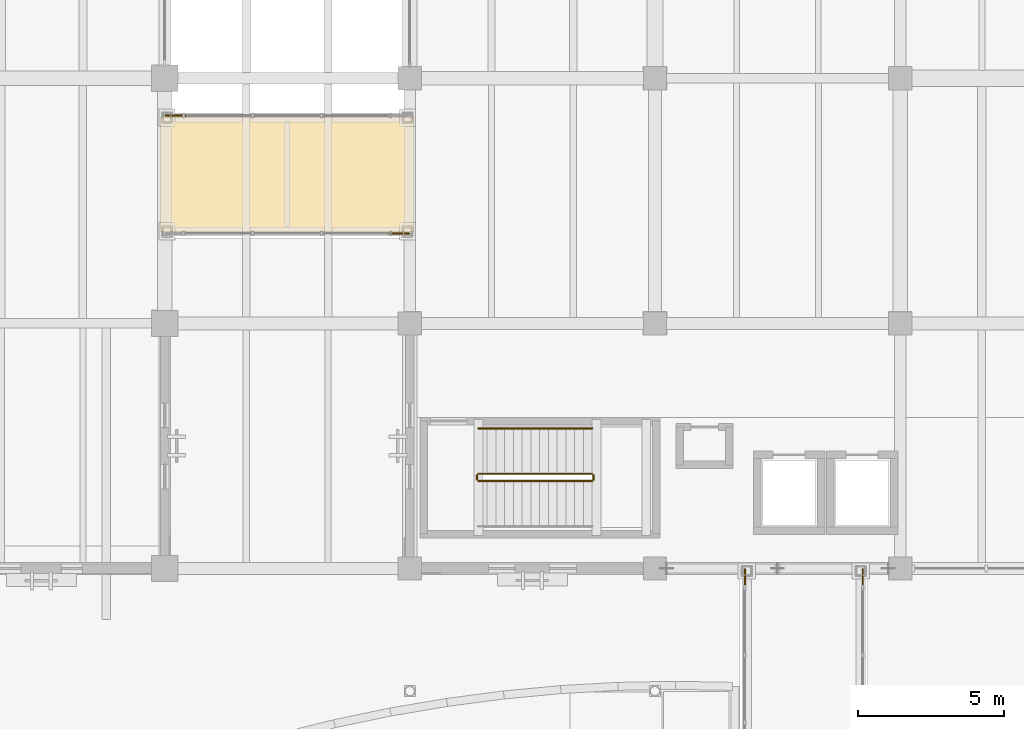
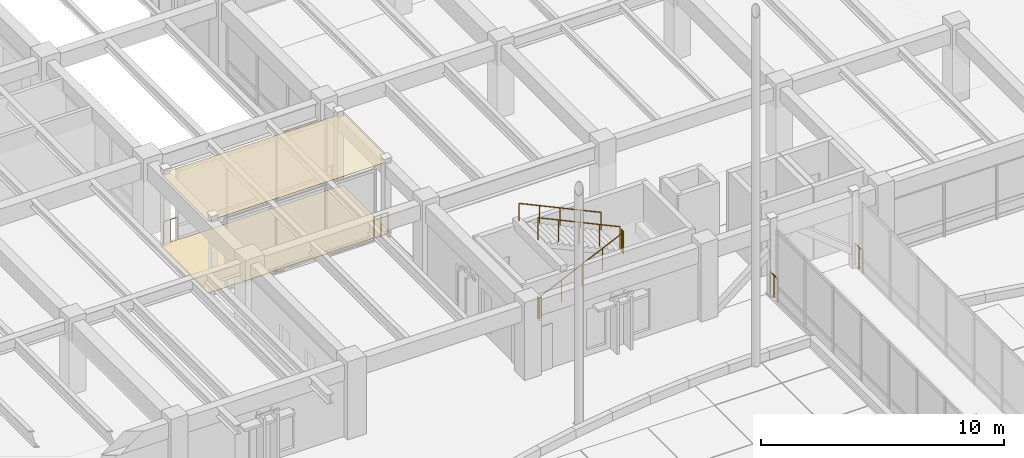
# One storey, part 122 of 135: 9 railings, 2 coverings.
"""IFC4 building model written with IfcOpenShell, lengths in metres."""

from ifc_helpers import new_model, si_unit, direction, frame, origin, origin_2d, place, context, subcontext, project, spatial, polyline, circle, outline, extrude, material, layer, layer_set, type_object, element, save


model = new_model("IFC4")

# Units and contexts
model_context = context("Model", 3, precision=1e-05, world=origin(), true_north=direction((0.0, 1.0)))
body_context = subcontext(model_context, "Body", "Model", "MODEL_VIEW")
ifc_project = project(units=[si_unit("LENGTHUNIT", "METRE"), si_unit("AREAUNIT", "SQUARE_METRE"), si_unit("VOLUMEUNIT", "CUBIC_METRE"), si_unit("PLANEANGLEUNIT", "RADIAN"), si_unit("MASSUNIT", "GRAM", prefix="KILO")], contexts=[model_context])

# Site, building, storey
site_placement = place(None, origin())
site = spatial("IfcSite", under=ifc_project, at=site_placement, CompositionType="ELEMENT")
building_placement = place(site_placement, origin())
building = spatial("IfcBuilding", under=site, at=building_placement, Name="Cumbredor Promenade Congress Hotel", CompositionType="ELEMENT")
storey_placement = place(building_placement, origin())
storey = spatial("IfcBuildingStorey", under=building, at=storey_placement, Name="L00", CompositionType="ELEMENT", Elevation=0.0)

# Covering
ifc_material_1 = material(Name="Acoustic mineral-fiber and gypsum ceiling")
ifc_layer_1 = layer(ifc_material_1, 0.02197265625, Name="Acoustic mineral-fiber and gypsum ceiling")
ifc_layer_set_1 = layer_set([ifc_layer_1], Name="Acoustic mineral-fiber and gypsum ceiling")
covering_type_1 = type_object("IfcCoveringType", Name="Acoustic Perforated Gypsum Ceiling CLG-02 22mm", PredefinedType="CEILING", material=ifc_layer_set_1)
covering_1_placement = place(storey_placement, frame((0.0, 0.0, 3.617919921875)))
element("IfcCovering", 1, at=covering_1_placement, inside=storey, type_object=covering_type_1, Name="L00 North Hotel-to-Forum Glazed Bridge Concourse Acoustic Ceiling", PredefinedType="CEILING", context=body_context, shape_type="SweptSolid", body=[
    extrude(outline(polyline([(83.860107421875, 95.530029296875), (83.860107421875, 99.469970703125), (92.5400390625, 99.469970703125), (92.5400390625, 95.530029296875), (83.860107421875, 95.530029296875)])), origin(), (0.0, 0.0, 1.0), 0.02197265625),
])

# Railings
ifc_material_2 = material(Name="Brushed stainless steel", Category="steel")
railing_type_1 = type_object("IfcRailingType", Name="Interior Void & Stair Guardrail GR-1100", PredefinedType="GUARDRAIL", material=ifc_material_2)
railing_1_placement = place(storey_placement, frame((94.75, 87.0, 0.139892578125)))
element("IfcRailing", 2, at=railing_1_placement, inside=storey, type_object=railing_type_1, Name="L00 ST-13 stair guard 1", PredefinedType="GUARDRAIL", context=body_context, shape_type="SweptSolid", body=[
    extrude(circle(Radius=0.02392578125, at=origin_2d()), frame((0.0, 0.0, 1.09619140625), z_axis=(0.906172994947, 0.0, 0.42290720404), x_axis=(0.0, 1.0, 0.0)), (0.0, 0.0, 1.0), 4.3037109375),
    extrude(circle(Radius=0.02099609375, at=origin_2d()), origin(), (0.0, 0.0, 1.0), 1.072021484375),
    extrude(circle(Radius=0.02099609375, at=origin_2d()), frame((0.97509765625, 0.0, 0.455078125)), (0.0, 0.0, 1.0), 1.072021484375),
    extrude(circle(Radius=0.02099609375, at=origin_2d()), frame((1.949951171875, 0.0, 0.91015625)), (0.0, 0.0, 1.0), 1.072021484375),
    extrude(circle(Radius=0.02099609375, at=origin_2d()), frame((2.9248046875, 0.0, 1.364990234375)), (0.0, 0.0, 1.0), 1.072021484375),
    extrude(circle(Radius=0.02099609375, at=origin_2d()), frame((3.89990234375, 0.0, 1.820068359375)), (0.0, 0.0, 1.0), 1.072021484375),
])
railing_2_placement = place(storey_placement, frame((98.699951171875, 87.050048828125, 1.9599609375)))
element("IfcRailing", 3, at=railing_2_placement, inside=storey, type_object=railing_type_1, Name="L00 ST-13 stair guard 2", PredefinedType="GUARDRAIL", context=body_context, shape_type="SweptSolid", body=[
    extrude(circle(Radius=0.02392578125, at=origin_2d()), frame((0.0, 0.0, 1.09619140625), z_axis=(0.0, 1.0, 0.0), x_axis=(-1.0, 0.0, 0.0)), (0.0, 0.0, 1.0), 0.14990234375),
    extrude(circle(Radius=0.02099609375, at=origin_2d()), origin(), (0.0, 0.0, 1.0), 1.072021484375),
    extrude(circle(Radius=0.02099609375, at=origin_2d()), frame((0.0, 0.14990234375, 0.0)), (0.0, 0.0, 1.0), 1.072021484375),
])
railing_3_placement = place(storey_placement, frame((98.64990234375, 87.25, 2.10009765625)))
element("IfcRailing", 4, at=railing_3_placement, inside=storey, type_object=railing_type_1, Name="L00 ST-13 stair guard 3", PredefinedType="GUARDRAIL", context=body_context, shape_type="SweptSolid", body=[
    extrude(circle(Radius=0.02392578125, at=origin_2d()), frame((0.0, 0.0, 1.09619140625), z_axis=(-0.906194733976, 0.0, 0.422860620199), x_axis=(0.0, -1.0, 0.0)), (0.0, 0.0, 1.0), 4.3037109375),
    extrude(circle(Radius=0.02099609375, at=origin_2d()), origin(), (0.0, 0.0, 1.0), 1.072021484375),
    extrude(circle(Radius=0.02099609375, at=origin_2d()), frame((-0.97509765625, 0.0, 0.455078125)), (0.0, 0.0, 1.0), 1.072021484375),
    extrude(circle(Radius=0.02099609375, at=origin_2d()), frame((-1.949951171875, 0.0, 0.909912109375)), (0.0, 0.0, 1.0), 1.072021484375),
    extrude(circle(Radius=0.02099609375, at=origin_2d()), frame((-2.9248046875, 0.0, 1.36474609375)), (0.0, 0.0, 1.0), 1.072021484375),
    extrude(circle(Radius=0.02099609375, at=origin_2d()), frame((-3.89990234375, 0.0, 1.81982421875)), (0.0, 0.0, 1.0), 1.072021484375),
])
railing_4_placement = place(storey_placement, frame((94.699951171875, 87.050048828125, 0.0)))
element("IfcRailing", 5, at=railing_4_placement, inside=storey, type_object=railing_type_1, Name="L00 ST-13 stair guard 4", PredefinedType="GUARDRAIL", context=body_context, shape_type="SweptSolid", body=[
    extrude(circle(Radius=0.02392578125, at=origin_2d()), frame((0.0, 0.0, 1.09619140625), z_axis=(0.0, 1.0, 0.0), x_axis=(-1.0, 0.0, 0.0)), (0.0, 0.0, 1.0), 0.14990234375),
    extrude(circle(Radius=0.02099609375, at=origin_2d()), origin(), (0.0, 0.0, 1.0), 1.072021484375),
    extrude(circle(Radius=0.02099609375, at=origin_2d()), frame((0.0, 0.14990234375, 0.0)), (0.0, 0.0, 1.0), 1.072021484375),
])

# Covering
ifc_material_3 = material(Name="Porcelain stoneware tile", Category="masonry")
ifc_layer_2 = layer(ifc_material_3, 0.02490234375, Name="Porcelain stoneware tile", Category="masonry")
ifc_layer_set_2 = layer_set([ifc_layer_2], Name="Porcelain stoneware tile")
covering_type_2 = type_object("IfcCoveringType", Name="Porcelain Stoneware Flooring FLR-02 25mm", PredefinedType="FLOORING", material=ifc_layer_set_2)
covering_2_placement = place(storey_placement, origin())
element("IfcCovering", 6, at=covering_2_placement, inside=storey, type_object=covering_type_2, Name="L00 North Hotel-to-Forum Glazed Bridge Concourse Porcelain Flooring", PredefinedType="FLOORING", context=body_context, shape_type="SweptSolid", body=[
    extrude(outline(polyline([(83.860107421875, 95.530029296875), (83.860107421875, 99.469970703125), (92.5400390625, 99.469970703125), (92.5400390625, 95.530029296875), (83.860107421875, 95.530029296875)])), origin(), (0.0, 0.0, 1.0), 0.02490234375),
])

# Railings
railing_type_2 = type_object("IfcRailingType", Name="Sky Garden Glass-and-Steel Balustrade BAL-1150", PredefinedType="BALUSTRADE", material=ifc_material_2)
for number, where, name in (
    (7, (103.8798828125, 83.300048828125, 0.0), "L00 Central Reflecting-Pool Promenade Bridge End Guardrail NW"),
    (8, (107.919921875, 83.300048828125, 0.0), "L00 Central Reflecting-Pool Promenade Bridge End Guardrail NE"),
):
    element("IfcRailing", number, at=place(storey_placement, frame(where)), inside=storey, type_object=railing_type_2, Name=name, PredefinedType="BALUSTRADE", context=body_context, shape_type="SweptSolid", body=[
        extrude(circle(Radius=0.02392578125, at=origin_2d()), frame((0.0, 0.0, 1.1259765625), z_axis=(0.0, 1.0, 0.0), x_axis=(-1.0, 0.0, 0.0)), (0.0, 0.0, 1.0), 0.669921875),
        extrude(circle(Radius=0.02099609375, at=origin_2d()), origin(), (0.0, 0.0, 1.0), 1.101806640625),
        extrude(circle(Radius=0.02099609375, at=origin_2d()), frame((0.0, 0.3349609375, 0.0)), (0.0, 0.0, 1.0), 1.101806640625),
        extrude(circle(Radius=0.02099609375, at=origin_2d()), frame((0.0, 0.669921875, 0.0)), (0.0, 0.0, 1.0), 1.101806640625),
    ])
railing_5_placement = place(storey_placement, frame((84.030029296875, 99.52001953125, 0.0)))
element("IfcRailing", 9, at=railing_5_placement, inside=storey, type_object=railing_type_2, Name="L00 North Hotel-to-Forum Glazed Bridge End Guardrail WN", PredefinedType="BALUSTRADE", context=body_context, shape_type="SweptSolid", body=[
    extrude(circle(Radius=0.02392578125, at=origin_2d()), frame((0.0, 0.0, 1.1259765625), z_axis=(1.0, 0.0, 0.0), x_axis=(0.0, 1.0, 0.0)), (0.0, 0.0, 1.0), 0.669921875),
    extrude(circle(Radius=0.02099609375, at=origin_2d()), origin(), (0.0, 0.0, 1.0), 1.101806640625),
    extrude(circle(Radius=0.02099609375, at=origin_2d()), frame((0.3349609375, 0.0, 0.0)), (0.0, 0.0, 1.0), 1.101806640625),
    extrude(circle(Radius=0.02099609375, at=origin_2d()), frame((0.669921875, 0.0, 0.0)), (0.0, 0.0, 1.0), 1.101806640625),
])
railing_6_placement = place(storey_placement, frame((91.699951171875, 95.47998046875, 0.0)))
element("IfcRailing", 10, at=railing_6_placement, inside=storey, type_object=railing_type_2, Name="L00 North Hotel-to-Forum Glazed Bridge End Guardrail ES", PredefinedType="BALUSTRADE", context=body_context, shape_type="SweptSolid", body=[
    extrude(circle(Radius=0.02392578125, at=origin_2d()), frame((0.0, 0.0, 1.1259765625), z_axis=(1.0, 0.0, 0.0), x_axis=(0.0, 1.0, 0.0)), (0.0, 0.0, 1.0), 0.670166015625),
    extrude(circle(Radius=0.02099609375, at=origin_2d()), origin(), (0.0, 0.0, 1.0), 1.101806640625),
    extrude(circle(Radius=0.02099609375, at=origin_2d()), frame((0.3349609375, 0.0, 0.0)), (0.0, 0.0, 1.0), 1.101806640625),
    extrude(circle(Radius=0.02099609375, at=origin_2d()), frame((0.670166015625, 0.0, 0.0)), (0.0, 0.0, 1.0), 1.101806640625),
])
railing_type_3 = type_object("IfcRailingType", Name="Stair Pitch Handrail HR-900", PredefinedType="HANDRAIL", material=ifc_material_2)
railing_7_placement = place(storey_placement, frame((98.64990234375, 88.800048828125, 2.10009765625)))
element("IfcRailing", 11, at=railing_7_placement, inside=storey, type_object=railing_type_3, Name="L00 ST-13 stair handrail 2", PredefinedType="HANDRAIL", context=body_context, shape_type="SweptSolid", body=[
    extrude(circle(Radius=0.02392578125, at=origin_2d()), frame((0.0, 0.0, 0.8759765625), z_axis=(-0.906194733976, 0.0, 0.422860620199), x_axis=(0.0, -1.0, 0.0)), (0.0, 0.0, 1.0), 4.3037109375),
    extrude(circle(Radius=0.02099609375, at=origin_2d()), origin(), (0.0, 0.0, 1.0), 0.851806640625),
    extrude(circle(Radius=0.02099609375, at=origin_2d()), frame((-0.97509765625, 0.0, 0.455078125)), (0.0, 0.0, 1.0), 0.851806640625),
    extrude(circle(Radius=0.02099609375, at=origin_2d()), frame((-1.949951171875, 0.0, 0.909912109375)), (0.0, 0.0, 1.0), 0.851806640625),
    extrude(circle(Radius=0.02099609375, at=origin_2d()), frame((-2.9248046875, 0.0, 1.36474609375)), (0.0, 0.0, 1.0), 0.851806640625),
    extrude(circle(Radius=0.02099609375, at=origin_2d()), frame((-3.89990234375, 0.0, 1.81982421875)), (0.0, 0.0, 1.0), 0.851806640625),
])

save(model, "model.ifc")
